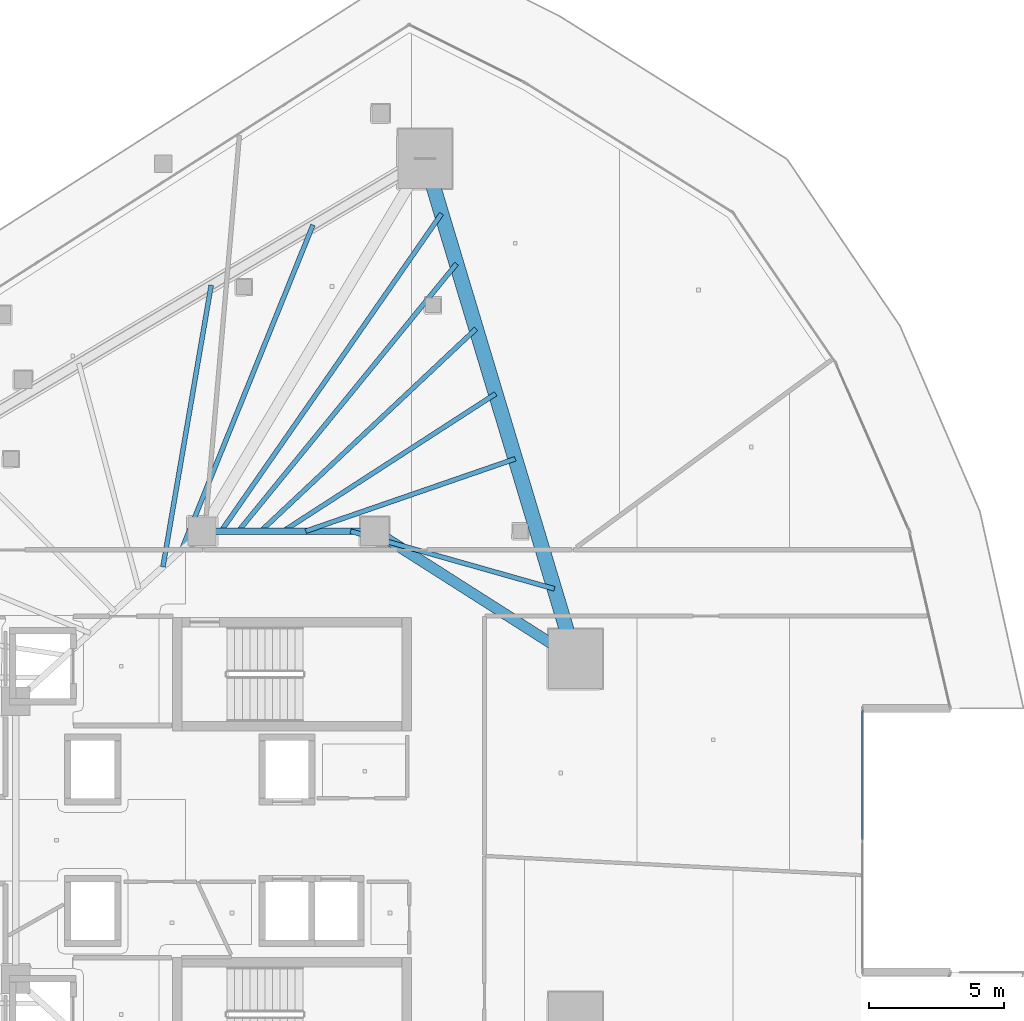
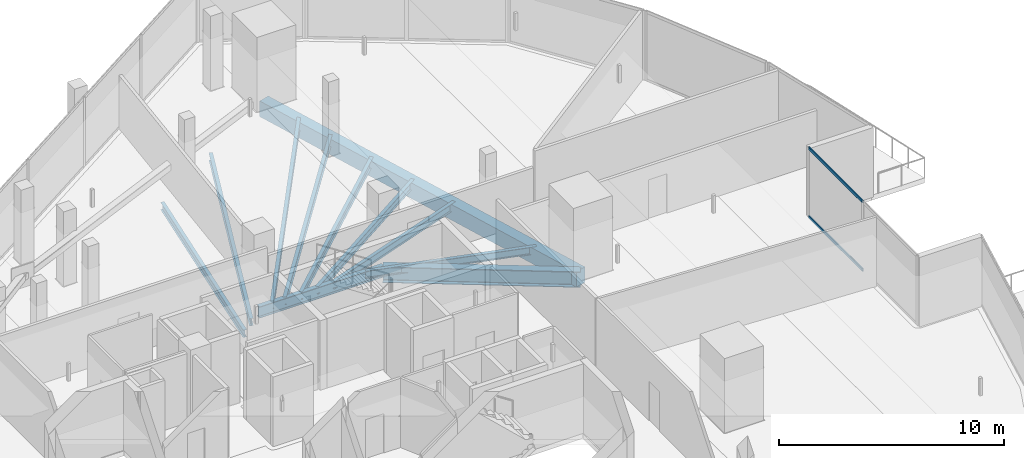
# One storey, part 19 of 40: 11 beams, 2 members, 1 element without a shape of its own.
"""IFC4 building model written with IfcOpenShell, lengths in metres."""

from ifc_helpers import new_model, si_unit, direction, frame, origin, origin_2d, place, context, subcontext, project, spatial, rectangle, hollow_rectangle, i_section, extrude, material, layer, layer_set, material_profile, profile_set, type_object, element, aggregate, save


model = new_model("IFC4")

# Units and contexts
model_context = context("Model", 3, precision=1e-05, world=origin(), true_north=direction((0.0, 1.0)))
body_context = subcontext(model_context, "Body", "Model", "MODEL_VIEW")
ifc_project = project(units=[si_unit("LENGTHUNIT", "METRE"), si_unit("AREAUNIT", "SQUARE_METRE"), si_unit("VOLUMEUNIT", "CUBIC_METRE"), si_unit("PLANEANGLEUNIT", "RADIAN"), si_unit("MASSUNIT", "GRAM", prefix="KILO")], contexts=[model_context])

# Site, building, storey
site_placement = place(None, origin())
site = spatial("IfcSite", under=ifc_project, at=site_placement, CompositionType="ELEMENT")
building_placement = place(site_placement, origin())
building = spatial("IfcBuilding", under=site, at=building_placement, Name="Qorvath Tower", CompositionType="ELEMENT")
storey_placement = place(building_placement, frame((0.0, 0.0, 138.14990234375)))
storey = spatial("IfcBuildingStorey", under=building, at=storey_placement, Name="L31", CompositionType="ELEMENT", Elevation=138.14990234375)

# Beams
ifc_material_1 = material(Name="Steel ASTM A992 Grade 50", Category="steel")
ifc_material_profile_1 = material_profile(ifc_material_1, i_section(OverallWidth=0.39892578125, OverallDepth=0.85498046875, WebThickness=0.018310546875, FlangeThickness=0.029296875, FilletRadius=0.02001953125, at=origin_2d()), Name="W33x201")
ifc_profile_set_1 = profile_set([ifc_material_profile_1], Name="Steel ASTM A992 Grade 50")
beam_type_1 = type_object("IfcBeamType", Name="BM-FG2", PredefinedType="BEAM", material=ifc_profile_set_1)
beam_1_placement = place(storey_placement, frame((-17.199951171875, 11.449951171875, -0.697509765625), z_axis=(0.843634090834, -0.536918542037, 0.0), x_axis=(0.536918542037, 0.843634090834, 0.0)))
element("IfcBeam", 1, at=beam_1_placement, inside=storey, type_object=beam_type_1, Name="Radial Floor Girder CC2-MC5 L31", PredefinedType="BEAM", context=body_context, shape_type="SweptSolid", body=[
    extrude(i_section(OverallWidth=0.39892578125, OverallDepth=0.85498046875, WebThickness=0.018310546875, FlangeThickness=0.029296875, FilletRadius=0.02001953125, at=origin_2d()), origin(), (0.0, 0.0, 1.0), 8.806884765625),
])
ifc_material_2 = material(Name="Steel ASTM A992 Grade 50", Category="steel")
ifc_material_profile_2 = material_profile(ifc_material_2, i_section(OverallWidth=0.22998046875, OverallDepth=0.616943359375, WebThickness=0.01318359375, FlangeThickness=0.022216796875, FilletRadius=0.014892578125, at=origin_2d()), Name="W24x94")
ifc_profile_set_2 = profile_set([ifc_material_profile_2], Name="Steel ASTM A992 Grade 50")
beam_type_2 = type_object("IfcBeamType", Name="BM-FG6", PredefinedType="BEAM", material=ifc_profile_set_2)
beam_2_placement = place(storey_placement, frame((-23.60009765625, 11.449951171875, -0.57861328125), z_axis=(1.0, 0.0, 0.0), x_axis=(0.0, 1.0, 0.0)))
element("IfcBeam", 2, at=beam_2_placement, inside=storey, type_object=beam_type_2, Name="Core Ring Girder CC1-CC2 L31", PredefinedType="BEAM", context=body_context, shape_type="SweptSolid", body=[
    extrude(i_section(OverallWidth=0.22998046875, OverallDepth=0.616943359375, WebThickness=0.01318359375, FlangeThickness=0.022216796875, FilletRadius=0.014892578125, at=origin_2d()), origin(), (0.0, 0.0, 1.0), 6.400146484375),
])
ifc_material_3 = material(Name="Steel ASTM A992 Grade 50", Category="steel")
ifc_material_profile_3 = material_profile(ifc_material_3, i_section(OverallWidth=0.177978515625, OverallDepth=0.406005859375, WebThickness=0.0078125, FlangeThickness=0.0126953125, FilletRadius=0.010986328125, at=origin_2d()), Name="W16x40")
ifc_profile_set_3 = profile_set([ifc_material_profile_3], Name="Steel ASTM A992 Grade 50")
beam_type_3 = type_object("IfcBeamType", Name="BM-FJ3", PredefinedType="JOIST", material=ifc_profile_set_3)
beam_3_placement = place(storey_placement, frame((-18.095947265625, 11.449951171875, -0.472900390625), z_axis=(0.962222206221, -0.272265359264, 0.0), x_axis=(0.272265359264, 0.962222206221, 0.0)))
element("IfcBeam", 3, at=beam_3_placement, inside=storey, type_object=beam_type_3, Name="Composite Floor Joist NE1 L31", PredefinedType="JOIST", context=body_context, shape_type="SweptSolid", body=[
    extrude(i_section(OverallWidth=0.177978515625, OverallDepth=0.406005859375, WebThickness=0.0078125, FlangeThickness=0.0126953125, FilletRadius=0.010986328125, at=origin_2d()), origin(), (0.0, 0.0, 1.0), 7.841552734375),
])
beam_4_placement = place(storey_placement, frame((-19.760009765625, 11.449951171875, -0.472900390625), z_axis=(0.945168345309, 0.326583525342, 0.0), x_axis=(-0.326583525342, 0.945168345309, 0.0)))
element("IfcBeam", 4, at=beam_4_placement, inside=storey, type_object=beam_type_3, Name="Composite Floor Joist NE3 L31", PredefinedType="JOIST", context=body_context, shape_type="SweptSolid", body=[
    extrude(i_section(OverallWidth=0.177978515625, OverallDepth=0.406005859375, WebThickness=0.0078125, FlangeThickness=0.0126953125, FilletRadius=0.010986328125, at=origin_2d()), origin(), (0.0, 0.0, 1.0), 8.21044921875),
])
beam_5_placement = place(storey_placement, frame((-20.592041015625, 11.449951171875, -0.472900390625), z_axis=(0.839630966809, 0.543157288062, 0.0), x_axis=(-0.543157288062, 0.839630966809, 0.0)))
element("IfcBeam", 5, at=beam_5_placement, inside=storey, type_object=beam_type_3, Name="Composite Floor Joist NE4 L31", PredefinedType="JOIST", context=body_context, shape_type="SweptSolid", body=[
    extrude(i_section(OverallWidth=0.177978515625, OverallDepth=0.406005859375, WebThickness=0.0078125, FlangeThickness=0.0126953125, FilletRadius=0.010986328125, at=origin_2d()), origin(), (0.0, 0.0, 1.0), 9.370361328125),
])
beam_6_placement = place(storey_placement, frame((-21.424072265625, 11.449951171875, -0.472900390625), z_axis=(0.728572459091, 0.684968737866, 0.0), x_axis=(-0.684968737866, 0.728572459091, 0.0)))
element("IfcBeam", 6, at=beam_6_placement, inside=storey, type_object=beam_type_3, Name="Composite Floor Joist NE5 L31", PredefinedType="JOIST", context=body_context, shape_type="SweptSolid", body=[
    extrude(i_section(OverallWidth=0.177978515625, OverallDepth=0.406005859375, WebThickness=0.0078125, FlangeThickness=0.0126953125, FilletRadius=0.010986328125, at=origin_2d()), origin(), (0.0, 0.0, 1.0), 10.9462890625),
])
beam_7_placement = place(storey_placement, frame((-22.256103515625, 11.449951171875, -0.472900390625), z_axis=(0.632187975212, 0.774815051478, 0.0), x_axis=(-0.774815051478, 0.632187975212, 0.0)))
element("IfcBeam", 7, at=beam_7_placement, inside=storey, type_object=beam_type_3, Name="Composite Floor Joist NE6 L31", PredefinedType="JOIST", context=body_context, shape_type="SweptSolid", body=[
    extrude(i_section(OverallWidth=0.177978515625, OverallDepth=0.406005859375, WebThickness=0.0078125, FlangeThickness=0.0126953125, FilletRadius=0.010986328125, at=origin_2d()), origin(), (0.0, 0.0, 1.0), 12.784912109375),
])
beam_8_placement = place(storey_placement, frame((-22.89599609375, 11.449951171875, -0.472900390625), z_axis=(0.570366725248, 0.821390162304, 0.0), x_axis=(-0.821390162304, 0.570366725248, 0.0)))
element("IfcBeam", 8, at=beam_8_placement, inside=storey, type_object=beam_type_3, Name="Composite Floor Joist NE7 L31", PredefinedType="JOIST", context=body_context, shape_type="SweptSolid", body=[
    extrude(i_section(OverallWidth=0.177978515625, OverallDepth=0.406005859375, WebThickness=0.0078125, FlangeThickness=0.0126953125, FilletRadius=0.010986328125, at=origin_2d()), origin(), (0.0, 0.0, 1.0), 14.3154296875),
])
beam_9_placement = place(storey_placement, frame((-25.049072265625, 10.126953125, -0.472900390625), z_axis=(0.168745594245, 0.985659639238, 0.0), x_axis=(-0.985659639238, 0.168745594245, 0.0)))
element("IfcBeam", 9, at=beam_9_placement, inside=storey, type_object=beam_type_3, Name="Composite Floor Joist NW6 L31", PredefinedType="JOIST", context=body_context, shape_type="SweptSolid", body=[
    extrude(i_section(OverallWidth=0.177978515625, OverallDepth=0.406005859375, WebThickness=0.0078125, FlangeThickness=0.0126953125, FilletRadius=0.010986328125, at=origin_2d()), origin(), (0.0, 0.0, 1.0), 10.589111328125),
])
beam_10_placement = place(storey_placement, frame((-24.35888671875, 10.757080078125, -0.472900390625), z_axis=(0.37487652097, 0.927074751045, 0.0), x_axis=(-0.927074751045, 0.37487652097, 0.0)))
element("IfcBeam", 10, at=beam_10_placement, inside=storey, type_object=beam_type_3, Name="Composite Floor Joist NW7 L31", PredefinedType="JOIST", context=body_context, shape_type="SweptSolid", body=[
    extrude(i_section(OverallWidth=0.177978515625, OverallDepth=0.406005859375, WebThickness=0.0078125, FlangeThickness=0.0126953125, FilletRadius=0.010986328125, at=origin_2d()), origin(), (0.0, 0.0, 1.0), 12.9833984375),
])
ifc_material_4 = material(Name="Concrete C50/60", Category="concrete")
ifc_material_profile_4 = material_profile(ifc_material_4, rectangle(XDim=0.550048828125, YDim=0.85009765625, at=origin_2d()), Name="RCB 850x550")
ifc_profile_set_4 = profile_set([ifc_material_profile_4], Name="Concrete C50/60")
beam_type_4 = type_object("IfcBeamType", Name="BM-RCB2", PredefinedType="SPANDREL", material=ifc_profile_set_4)
beam_11_placement = place(storey_placement, frame((-9.770263671875, 6.721435546875, -0.695068359375), z_axis=(-0.288133952099, 0.957590113591, 0.0), x_axis=(-0.957590113591, -0.288133952099, 0.0)))
element("IfcBeam", 11, at=beam_11_placement, inside=storey, type_object=beam_type_4, Name="Perimeter Loggia Frame Beam MC5-MC6 L31", PredefinedType="SPANDREL", context=body_context, shape_type="SweptSolid", body=[
    extrude(rectangle(XDim=0.550048828125, YDim=0.85009765625, at=origin_2d()), origin(), (0.0, 0.0, 1.0), 19.344970703125),
])

# Curtain wall, members
ifc_material_5 = material(Name="Anodised aluminium and triple low-E glass", Category="aluminium")
ifc_layer = layer(ifc_material_5, 0.179931640625)
ifc_layer_set = layer_set([ifc_layer], Name="CW-SYS-3")
curtain_wall_type = type_object("IfcCurtainWallType", Name="CW-SYS-3", PredefinedType="NOTDEFINED", material=ifc_layer_set)
curtain_wall_placement = place(storey_placement, origin())
curtain_wall = element("IfcCurtainWall", 12, at=curtain_wall_placement, inside=storey, type_object=curtain_wall_type, Name="Curtain Wall CW-3 CW-T-L31-9.1", PredefinedType="NOTDEFINED")
ifc_material_6 = material(Name="Anodised aluminium 6063-T6", Category="aluminium")
ifc_material_profile_5 = material_profile(ifc_material_6, hollow_rectangle(XDim=0.06494140625, YDim=0.159912109375, WallThickness=0.00341796875, InnerFilletRadius=0.00341796875, OuterFilletRadius=0.007080078125, at=origin_2d()), Name="CWT 160x65")
ifc_profile_set_5 = profile_set([ifc_material_profile_5], Name="Anodised aluminium 6063-T6")
member_type = type_object("IfcMemberType", Name="CWT-160", PredefinedType="USERDEFINED", material=ifc_profile_set_5)
member_1_placement = place(storey_placement, frame((0.86328125, 0.032470703125, 0.032470703125), z_axis=(0.0, 1.0, 0.0), x_axis=(-1.0, 0.0, 0.0)))
member_1 = element("IfcMember", 13, at=member_1_placement, type_object=member_type, Name="CW-3 transom 2.1", ObjectType="TRANSOM", PredefinedType="USERDEFINED", context=body_context, shape_type="SweptSolid", body=[
    extrude(hollow_rectangle(XDim=0.06494140625, YDim=0.159912109375, WallThickness=0.00341796875, InnerFilletRadius=0.00341796875, OuterFilletRadius=0.007080078125, at=origin_2d()), origin(), (0.0, 0.0, 1.0), 4.7841796875),
])
member_2_placement = place(storey_placement, frame((0.86328125, 0.032470703125, 3.74755859375), z_axis=(0.0, 1.0, 0.0), x_axis=(-1.0, 0.0, 0.0)))
member_2 = element("IfcMember", 14, at=member_2_placement, type_object=member_type, Name="CW-3 transom 2.2", ObjectType="TRANSOM", PredefinedType="USERDEFINED", context=body_context, shape_type="SweptSolid", body=[
    extrude(hollow_rectangle(XDim=0.06494140625, YDim=0.159912109375, WallThickness=0.00341796875, InnerFilletRadius=0.00341796875, OuterFilletRadius=0.007080078125, at=origin_2d()), origin(), (0.0, 0.0, 1.0), 4.7841796875),
])
aggregate(curtain_wall, [member_1, member_2])

save(model, "model.ifc")
